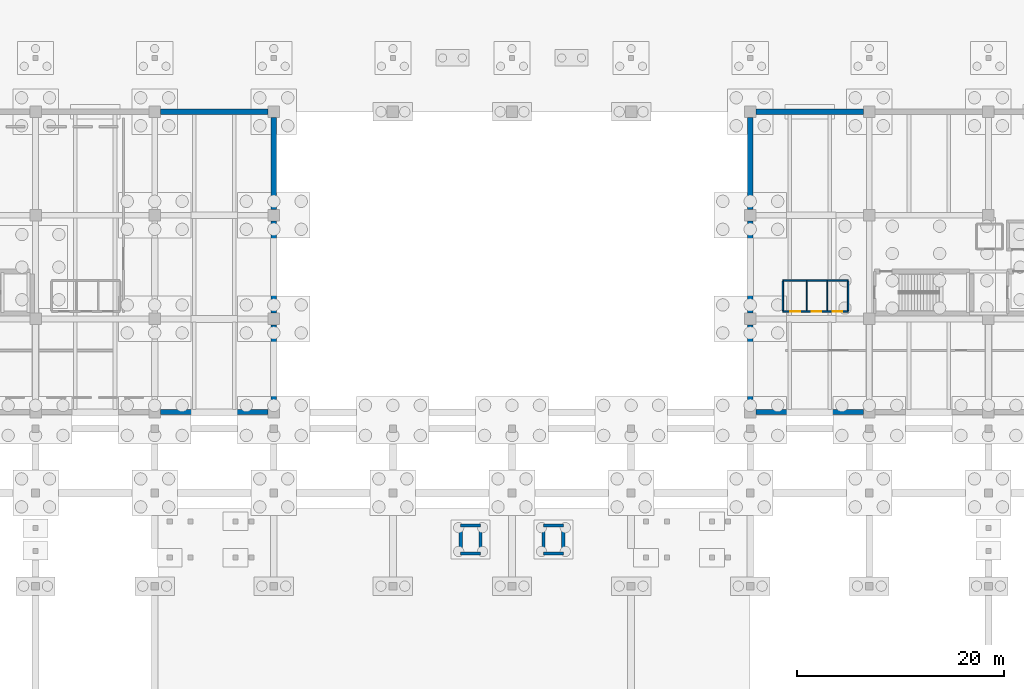
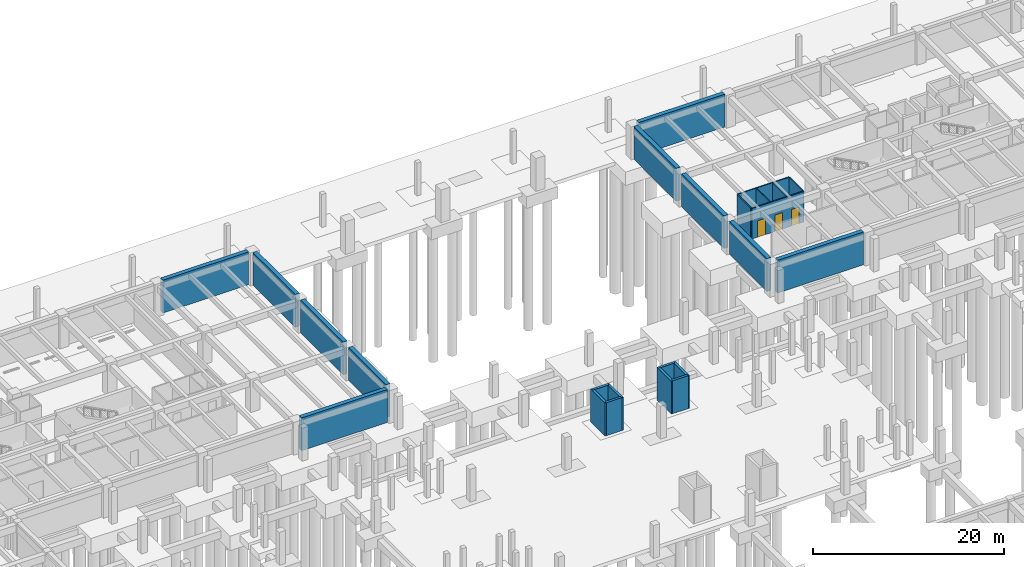
# One storey, part 21 of 28: 24 walls, 3 doors, 3 openings.
"""IFC4 building model written with IfcOpenShell, lengths in metres."""

from ifc_helpers import new_model, si_unit, direction, frame, frame_2d, origin, place, context, subcontext, project, spatial, rectangle, extrude, material, layer, layer_set, type_object, element, fill, save


model = new_model("IFC4")

# Units and contexts
model_context = context("Model", 3, precision=1e-05, world=origin(), true_north=direction((0.0, 1.0)))
body_context = subcontext(model_context, "Body", "Model", "MODEL_VIEW")
ifc_project = project(units=[si_unit("LENGTHUNIT", "METRE"), si_unit("AREAUNIT", "SQUARE_METRE"), si_unit("VOLUMEUNIT", "CUBIC_METRE"), si_unit("PLANEANGLEUNIT", "RADIAN"), si_unit("MASSUNIT", "GRAM", prefix="KILO")], contexts=[model_context])

# Site, building, storey
site_placement = place(None, origin())
site = spatial("IfcSite", under=ifc_project, at=site_placement, CompositionType="ELEMENT")
building_placement = place(site_placement, origin())
building = spatial("IfcBuilding", under=site, at=building_placement, Name="Ologun Quay Terminus", CompositionType="ELEMENT")
storey_placement = place(building_placement, frame((0.0, 0.0, -8.39990234375)))
storey = spatial("IfcBuildingStorey", under=building, at=storey_placement, Name="B02", CompositionType="ELEMENT", Elevation=-8.39990234375)

# Walls
ifc_material_1 = material(Name="Concrete C35/45", Category="concrete")
ifc_layer_1 = layer(ifc_material_1, 0.5)
ifc_layer_set_1 = layer_set([ifc_layer_1], Name="Concrete C35/45")
wall_type_1 = type_object("IfcWallType", Name="Basement Perimeter Retaining Wall 500", PredefinedType="SHEAR", material=ifc_layer_set_1)
for number, where, z_axis, x_axis, name in (
    (1, (58.070068359375, 85.800048828125, 0.0), (0.0, 0.0, 1.0), (1.0, 0.0, 0.0), "Retaining Wall TNW-6 B02"),
    (2, (115.570068359375, 85.800048828125, 0.0), (0.0, 0.0, 1.0), (1.0, 0.0, 0.0), "Retaining Wall TNE-11 B02"),
):
    element("IfcWall", number, at=place(storey_placement, frame(where, z_axis=z_axis, x_axis=x_axis)), inside=storey, type_object=wall_type_1, Name=name, PredefinedType="SHEAR", context=body_context, shape_type="SweptSolid", body=[
        extrude(rectangle(XDim=10.35986328125, YDim=0.5, at=frame_2d((5.179931640625, 0.0))), origin(), (0.0, 0.0, 1.0), 4.199951171875),
    ])
wall_1_placement = place(storey_placement, frame((69.0, 86.3701171875, 0.0), z_axis=(0.0, 0.0, 1.0), x_axis=(0.0, 1.0, 0.0)))
element("IfcWall", 3, at=wall_1_placement, inside=storey, type_object=wall_type_1, Name="Retaining Wall CW-Y1 B02", PredefinedType="SHEAR", context=body_context, shape_type="SweptSolid", body=[
    extrude(rectangle(XDim=7.85986328125, YDim=0.5, at=frame_2d((3.929931640625, 0.0))), origin(), (0.0, 0.0, 1.0), 4.199951171875),
])
for number, where, z_axis, x_axis, name in (
    (4, (69.0, 95.3701171875, 0.0), (0.0, 0.0, 1.0), (0.0, 1.0, 0.0), "Retaining Wall CW-Y2 B02"),
    (5, (69.0, 105.3701171875, 0.0), (0.0, 0.0, 1.0), (0.0, 1.0, 0.0), "Retaining Wall CW-Y3 B02"),
):
    element("IfcWall", number, at=place(storey_placement, frame(where, z_axis=z_axis, x_axis=x_axis)), inside=storey, type_object=wall_type_1, Name=name, PredefinedType="SHEAR", context=body_context, shape_type="SweptSolid", body=[
        extrude(rectangle(XDim=8.85986328125, YDim=0.5, at=frame_2d((4.429931640625, 0.0))), origin(), (0.0, 0.0, 1.0), 4.199951171875),
    ])
wall_2_placement = place(storey_placement, frame((115.0, 86.3701171875, 0.0), z_axis=(0.0, 0.0, 1.0), x_axis=(0.0, 1.0, 0.0)))
element("IfcWall", 6, at=wall_2_placement, inside=storey, type_object=wall_type_1, Name="Retaining Wall CE-Y1 B02", PredefinedType="SHEAR", context=body_context, shape_type="SweptSolid", body=[
    extrude(rectangle(XDim=7.85986328125, YDim=0.5, at=frame_2d((3.929931640625, 0.0))), origin(), (0.0, 0.0, 1.0), 4.199951171875),
])
for number, where, z_axis, x_axis, name in (
    (7, (115.0, 95.3701171875, 0.0), (0.0, 0.0, 1.0), (0.0, 1.0, 0.0), "Retaining Wall CE-Y2 B02"),
    (8, (115.0, 105.3701171875, 0.0), (0.0, 0.0, 1.0), (0.0, 1.0, 0.0), "Retaining Wall CE-Y3 B02"),
):
    element("IfcWall", number, at=place(storey_placement, frame(where, z_axis=z_axis, x_axis=x_axis)), inside=storey, type_object=wall_type_1, Name=name, PredefinedType="SHEAR", context=body_context, shape_type="SweptSolid", body=[
        extrude(rectangle(XDim=8.85986328125, YDim=0.5, at=frame_2d((4.429931640625, 0.0))), origin(), (0.0, 0.0, 1.0), 4.199951171875),
    ])
for number, where, z_axis, x_axis, name in (
    (9, (58.070068359375, 114.800048828125, 0.0), (0.0, 0.0, 1.0), (1.0, 0.0, 0.0), "Retaining Wall NW-6 B02"),
    (10, (115.570068359375, 114.800048828125, 0.0), (0.0, 0.0, 1.0), (1.0, 0.0, 0.0), "Retaining Wall NE-11 B02"),
):
    element("IfcWall", number, at=place(storey_placement, frame(where, z_axis=z_axis, x_axis=x_axis)), inside=storey, type_object=wall_type_1, Name=name, PredefinedType="SHEAR", context=body_context, shape_type="SweptSolid", body=[
        extrude(rectangle(XDim=10.35986328125, YDim=0.5, at=frame_2d((5.179931640625, 0.0))), origin(), (0.0, 0.0, 1.0), 4.199951171875),
    ])
ifc_material_2 = material(Name="Concrete C40/50", Category="concrete")
ifc_layer_2 = layer(ifc_material_2, 0.300048828125)
ifc_layer_set_2 = layer_set([ifc_layer_2], Name="Concrete C40/50")
wall_type_2 = type_object("IfcWallType", Name="Lift Shaft Structural Shear Wall 300", PredefinedType="SHEAR", material=ifc_layer_set_2)
for number, where, z_axis, x_axis, name in (
    (11, (87.050048828125, 72.14990234375, 0.0), (0.0, 0.0, 1.0), (1.0, 0.0, 0.0), "Lift PL-P3 Shaft Wall S B02"),
    (12, (87.050048828125, 74.85009765625, 0.0), (0.0, 0.0, 1.0), (1.0, 0.0, 0.0), "Lift PL-P3 Shaft Wall N B02"),
):
    element("IfcWall", number, at=place(storey_placement, frame(where, z_axis=z_axis, x_axis=x_axis)), inside=storey, type_object=wall_type_2, Name=name, PredefinedType="SHEAR", context=body_context, shape_type="SweptSolid", body=[
        extrude(rectangle(XDim=1.89990234375, YDim=0.300048828125, at=frame_2d((0.949951171875, 0.0))), origin(), (0.0, 0.0, 1.0), 4.199951171875),
    ])
for number, where, z_axis, x_axis, name in (
    (13, (87.050048828125, 72.0, 0.0), (0.0, 0.0, 1.0), (0.0, 1.0, 0.0), "Lift PL-P3 Shaft Wall W B02"),
    (14, (88.949951171875, 72.0, 0.0), (0.0, 0.0, 1.0), (0.0, 1.0, 0.0), "Lift PL-P3 Shaft Wall E B02"),
):
    element("IfcWall", number, at=place(storey_placement, frame(where, z_axis=z_axis, x_axis=x_axis)), inside=storey, type_object=wall_type_2, Name=name, PredefinedType="SHEAR", context=body_context, shape_type="SweptSolid", body=[
        extrude(rectangle(XDim=3.0, YDim=0.300048828125, at=frame_2d((1.5, 0.0))), origin(), (0.0, 0.0, 1.0), 4.199951171875),
    ])
for number, where, z_axis, x_axis, name in (
    (15, (95.050048828125, 72.14990234375, 0.0), (0.0, 0.0, 1.0), (1.0, 0.0, 0.0), "Lift PL-P4 Shaft Wall S B02"),
    (16, (95.050048828125, 74.85009765625, 0.0), (0.0, 0.0, 1.0), (1.0, 0.0, 0.0), "Lift PL-P4 Shaft Wall N B02"),
):
    element("IfcWall", number, at=place(storey_placement, frame(where, z_axis=z_axis, x_axis=x_axis)), inside=storey, type_object=wall_type_2, Name=name, PredefinedType="SHEAR", context=body_context, shape_type="SweptSolid", body=[
        extrude(rectangle(XDim=1.89990234375, YDim=0.300048828125, at=frame_2d((0.949951171875, 0.0))), origin(), (0.0, 0.0, 1.0), 4.199951171875),
    ])
for number, where, z_axis, x_axis, name in (
    (17, (95.050048828125, 72.0, 0.0), (0.0, 0.0, 1.0), (0.0, 1.0, 0.0), "Lift PL-P4 Shaft Wall W B02"),
    (18, (96.949951171875, 72.0, 0.0), (0.0, 0.0, 1.0), (0.0, 1.0, 0.0), "Lift PL-P4 Shaft Wall E B02"),
):
    element("IfcWall", number, at=place(storey_placement, frame(where, z_axis=z_axis, x_axis=x_axis)), inside=storey, type_object=wall_type_2, Name=name, PredefinedType="SHEAR", context=body_context, shape_type="SweptSolid", body=[
        extrude(rectangle(XDim=3.0, YDim=0.300048828125, at=frame_2d((1.5, 0.0))), origin(), (0.0, 0.0, 1.0), 4.199951171875),
    ])
ifc_material_3 = material(Name="Gypsum Acoustic Stud")
ifc_layer_3 = layer(ifc_material_3, 0.10498046875)
ifc_layer_set_3 = layer_set([ifc_layer_3], Name="Gypsum Acoustic Stud")
wall_type_3 = type_object("IfcWallType", Name="Light Cubicle Partition 105", PredefinedType="PARTITIONING", material=ifc_layer_set_3)
for number, where, z_axis, x_axis, name in (
    (19, (120.449951171875, 95.60009765625, 0.0), (0.0, 0.0, 1.0), (0.0, 1.0, 0.0), "PW-13 Partition EWC-D1"),
    (20, (122.449951171875, 95.60009765625, 0.0), (0.0, 0.0, 1.0), (0.0, 1.0, 0.0), "PW-13 Partition EWC-D2"),
):
    element("IfcWall", number, at=place(storey_placement, frame(where, z_axis=z_axis, x_axis=x_axis)), inside=storey, type_object=wall_type_3, Name=name, PredefinedType="PARTITIONING", context=body_context, shape_type="SweptSolid", body=[
        extrude(rectangle(XDim=2.849853515625, YDim=0.10498046875, at=frame_2d((1.4248046875, 0.0))), origin(), (0.0, 0.0, 1.0), 3.89990234375),
    ])

# Wall, openings, doors
ifc_material_4 = material(Name="Concrete C40/50", Category="concrete")
ifc_layer_4 = layer(ifc_material_4, 0.139892578125)
ifc_layer_set_4 = layer_set([ifc_layer_4], Name="Concrete C40/50")
wall_type_4 = type_object("IfcWallType", Name="Sanitary Wet-Area Blockwork Wall 140", PredefinedType="PLUMBINGWALL", material=ifc_layer_set_4)
wall_3_placement = place(storey_placement, frame((118.14990234375, 95.5, 0.0), z_axis=(0.0, 0.0, 1.0), x_axis=(1.0, 0.0, 0.0)))
wall_3 = element("IfcWall", 21, at=wall_3_placement, inside=storey, type_object=wall_type_4, Name="PW-06 Partition EWC-S", PredefinedType="PLUMBINGWALL", context=body_context, shape_type="SweptSolid", body=[
    extrude(rectangle(XDim=6.300048828125, YDim=0.139892578125, at=frame_2d((3.14990234375, 0.0))), origin(), (0.0, 0.0, 1.0), 3.89990234375),
])
opening_1_placement = place(wall_3_placement, frame((0.719970703125, 0.0, 0.0)))
opening_1 = element("IfcOpeningElement", 22, at=opening_1_placement, cuts=wall_3, Name="Opening ID-149", PredefinedType="OPENING", context=body_context, shape_type="SweptSolid", body=[
    extrude(rectangle(XDim=0.949951171875, YDim=2.10009765625, at=frame_2d((0.47509765625, 1.050048828125))), frame((0.0, 0.080078125, 0.0), z_axis=(0.0, -1.0, 0.0), x_axis=(1.0, 0.0, 0.0)), (0.0, 0.0, 1.0), 0.159912109375),
])
opening_2_placement = place(wall_3_placement, frame((2.800048828125, 0.0, 0.0)))
opening_2 = element("IfcOpeningElement", 23, at=opening_2_placement, cuts=wall_3, Name="Opening ID-150", PredefinedType="OPENING", context=body_context, shape_type="SweptSolid", body=[
    extrude(rectangle(XDim=0.919921875, YDim=2.10009765625, at=frame_2d((0.4599609375, 1.050048828125))), frame((0.0, 0.080078125, 0.0), z_axis=(0.0, -1.0, 0.0), x_axis=(1.0, 0.0, 0.0)), (0.0, 0.0, 1.0), 0.159912109375),
])
opening_3_placement = place(wall_3_placement, frame((4.800048828125, 0.0, 0.0)))
opening_3 = element("IfcOpeningElement", 24, at=opening_3_placement, cuts=wall_3, Name="Opening ID-151", PredefinedType="OPENING", context=body_context, shape_type="SweptSolid", body=[
    extrude(rectangle(XDim=0.919921875, YDim=2.10009765625, at=frame_2d((0.4599609375, 1.050048828125))), frame((0.0, 0.080078125, 0.0), z_axis=(0.0, -1.0, 0.0), x_axis=(1.0, 0.0, 0.0)), (0.0, 0.0, 1.0), 0.159912109375),
])
ifc_material_5 = material(Name="Timber Hardwood", Category="wood")
door_type_1 = type_object("IfcDoorType", Name="Accessible WC Outward-Swing Door 950x2100", OperationType="SINGLE_SWING_LEFT", PredefinedType="DOOR", material=ifc_material_5)
door_1_placement = place(opening_1_placement, frame((0.47509765625, 0.0, 0.0), z_axis=(0.0, 0.0, 1.0), x_axis=(-1.0, 0.0, 0.0)))
door_1 = element("IfcDoor", 25, at=door_1_placement, inside=storey, type_object=door_type_1, Name="ID-04 Door ID-149", OperationType="SINGLE_SWING_LEFT", OverallHeight=2.10009765625, OverallWidth=0.949951171875, PredefinedType="DOOR", context=body_context, shape_type="SweptSolid", body=[
    extrude(rectangle(XDim=0.949951171875, YDim=2.10009765625, at=frame_2d((0.0, 1.050048828125))), frame((0.0, 0.02490234375, 0.0), z_axis=(0.0, -1.0, 0.0), x_axis=(1.0, 0.0, 0.0)), (0.0, 0.0, 1.0), 0.050048828125),
])
fill(opening_1, door_1)
ifc_material_6 = material(Name="Timber Hardwood", Category="wood")
door_type_2 = type_object("IfcDoorType", Name="Sanitary Block Entrance Door 920x2100", OperationType="SINGLE_SWING_RIGHT", PredefinedType="DOOR", material=ifc_material_6)
door_2_placement = place(opening_2_placement, origin())
door_2 = element("IfcDoor", 26, at=door_2_placement, inside=storey, type_object=door_type_2, Name="ID-05 Door ID-150", OperationType="SINGLE_SWING_RIGHT", OverallHeight=2.10009765625, OverallWidth=0.919921875, PredefinedType="DOOR", context=body_context, shape_type="SweptSolid", body=[
    extrude(rectangle(XDim=0.919921875, YDim=2.10009765625, at=frame_2d((0.4599609375, 1.050048828125))), frame((0.0, 0.02490234375, 0.0), z_axis=(0.0, -1.0, 0.0), x_axis=(1.0, 0.0, 0.0)), (0.0, 0.0, 1.0), 0.050048828125),
])
fill(opening_2, door_2)
door_3_placement = place(opening_3_placement, origin())
door_3 = element("IfcDoor", 27, at=door_3_placement, inside=storey, type_object=door_type_2, Name="ID-05 Door ID-151", OperationType="SINGLE_SWING_RIGHT", OverallHeight=2.10009765625, OverallWidth=0.919921875, PredefinedType="DOOR", context=body_context, shape_type="SweptSolid", body=[
    extrude(rectangle(XDim=0.919921875, YDim=2.10009765625, at=frame_2d((0.4599609375, 1.050048828125))), frame((0.0, 0.02490234375, 0.0), z_axis=(0.0, -1.0, 0.0), x_axis=(1.0, 0.0, 0.0)), (0.0, 0.0, 1.0), 0.050048828125),
])
fill(opening_3, door_3)

# Walls
for number, where, z_axis, x_axis, name in (
    (28, (118.14990234375, 95.60009765625, 0.0), (0.0, 0.0, 1.0), (0.0, 1.0, 0.0), "PW-06 Partition EWC-W"),
    (29, (124.449951171875, 95.60009765625, 0.0), (0.0, 0.0, 1.0), (0.0, 1.0, 0.0), "PW-06 Partition EWC-E"),
):
    element("IfcWall", number, at=place(storey_placement, frame(where, z_axis=z_axis, x_axis=x_axis)), inside=storey, type_object=wall_type_4, Name=name, PredefinedType="PLUMBINGWALL", context=body_context, shape_type="SweptSolid", body=[
        extrude(rectangle(XDim=2.849853515625, YDim=0.139892578125, at=frame_2d((1.4248046875, 0.0))), origin(), (0.0, 0.0, 1.0), 3.89990234375),
    ])
wall_4_placement = place(storey_placement, frame((118.14990234375, 98.5, 0.0), z_axis=(0.0, 0.0, 1.0), x_axis=(1.0, 0.0, 0.0)))
element("IfcWall", 30, at=wall_4_placement, inside=storey, type_object=wall_type_4, Name="PW-06 Partition EWC-N", PredefinedType="PLUMBINGWALL", context=body_context, shape_type="SweptSolid", body=[
    extrude(rectangle(XDim=6.300048828125, YDim=0.139892578125, at=frame_2d((3.14990234375, 0.0))), origin(), (0.0, 0.0, 1.0), 3.89990234375),
])

save(model, "model.ifc")
